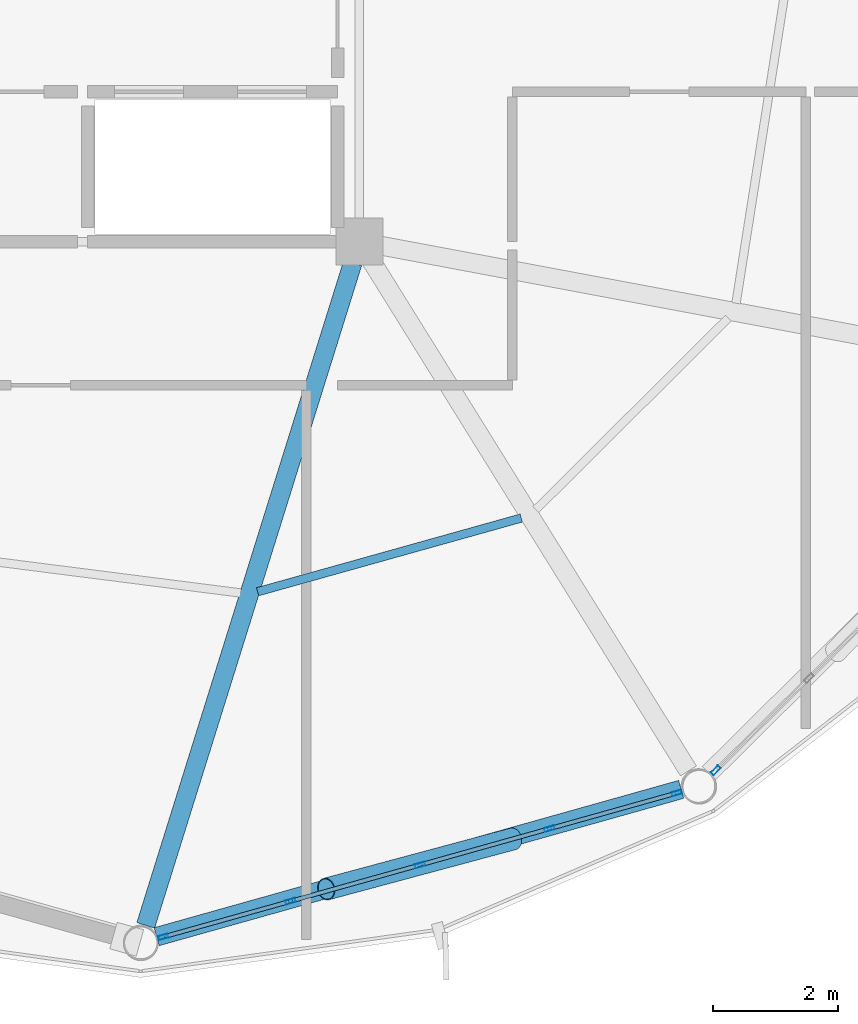
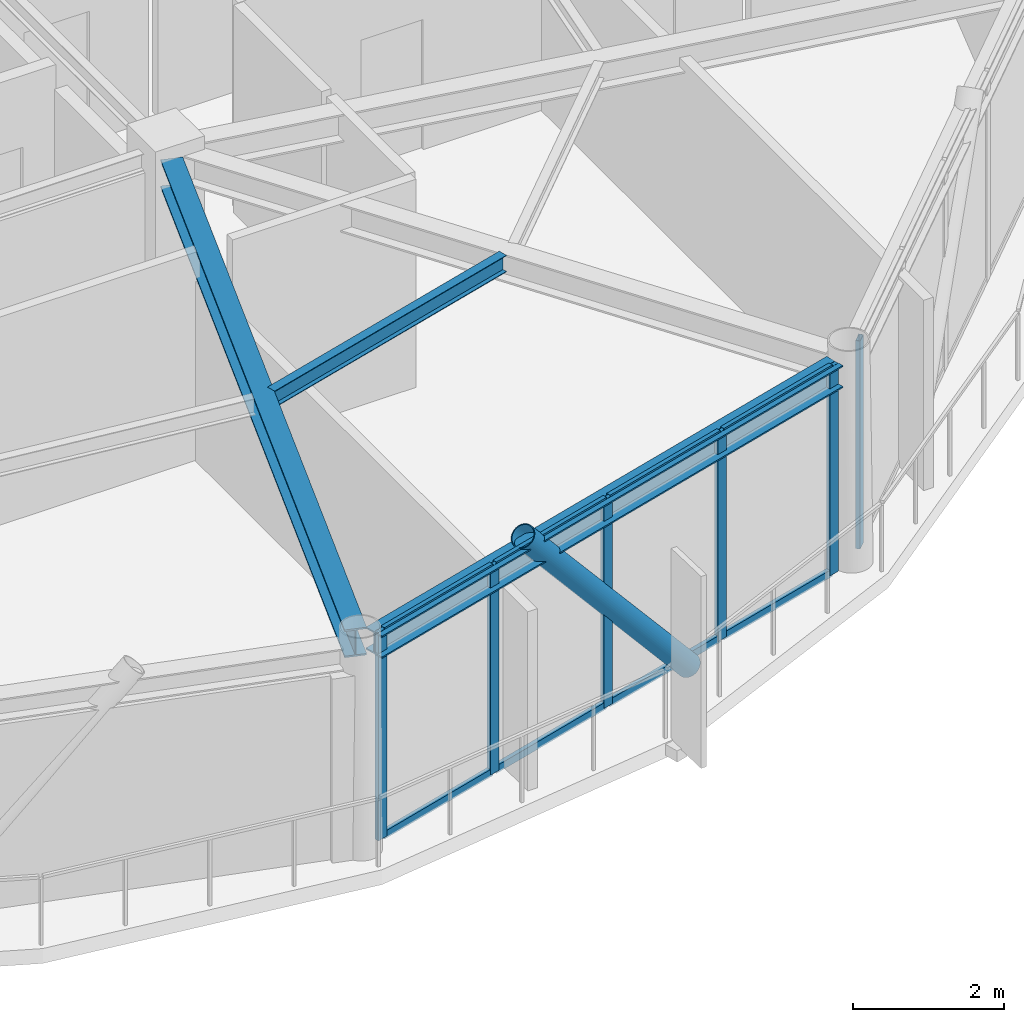
# One storey, part 6 of 24: 15 members, 3 beams, 2 elements without a shape of their own.
"""IFC4 building model written with IfcOpenShell, lengths in metres."""

from ifc_helpers import new_model, si_unit, direction, frame, origin, origin_2d, place, context, subcontext, project, spatial, hollow_rectangle, hollow_circle, i_section, extrude, material, layer, layer_set, material_profile, profile_set, type_object, element, aggregate, save


model = new_model("IFC4")

# Units and contexts
model_context = context("Model", 3, precision=1e-05, world=origin(), true_north=direction((0.0, 1.0)))
body_context = subcontext(model_context, "Body", "Model", "MODEL_VIEW")
ifc_project = project(units=[si_unit("LENGTHUNIT", "METRE"), si_unit("AREAUNIT", "SQUARE_METRE"), si_unit("VOLUMEUNIT", "CUBIC_METRE"), si_unit("PLANEANGLEUNIT", "RADIAN"), si_unit("MASSUNIT", "GRAM", prefix="KILO")], contexts=[model_context])

# Site, building, storey
site_placement = place(None, origin())
site = spatial("IfcSite", under=ifc_project, at=site_placement, CompositionType="ELEMENT")
building_placement = place(site_placement, origin())
building = spatial("IfcBuilding", under=site, at=building_placement, Name="Varnakorn Sky Granary", CompositionType="ELEMENT")
storey_placement = place(building_placement, frame((0.0, 0.0, 274.199951171875)))
storey = spatial("IfcBuildingStorey", under=building, at=storey_placement, Name="L70", CompositionType="ELEMENT", Elevation=274.199951171875)

# Beams
ifc_material_1 = material(Name="Steel S355JR", Category="steel")
ifc_material_profile_1 = material_profile(ifc_material_1, i_section(OverallWidth=0.300048828125, OverallDepth=0.449951171875, WebThickness=0.013916015625, FlangeThickness=0.02587890625, at=origin_2d()), Name="HE 450 B")
ifc_profile_set_1 = profile_set([ifc_material_profile_1], Name="Steel S355JR")
beam_type_1 = type_object("IfcBeamType", Name="BM-RAD-Z5", PredefinedType="BEAM", material=ifc_profile_set_1)
beam_1_placement = place(storey_placement, frame((8.244140625, -6.938720703125, 3.135009765625), z_axis=(-0.298217470222, -0.954497952043, 0.0), x_axis=(0.954497952043, -0.298217470222, 0.0)))
element("IfcBeam", 1, at=beam_1_placement, inside=storey, type_object=beam_type_1, Name="Radial Floor Girder RG10 L70", PredefinedType="BEAM", context=body_context, shape_type="SweptSolid", body=[
    extrude(i_section(OverallWidth=0.300048828125, OverallDepth=0.449951171875, WebThickness=0.013916015625, FlangeThickness=0.02587890625, at=origin_2d()), origin(), (0.0, 0.0, 1.0), 11.11669921875),
])
ifc_material_profile_2 = material_profile(ifc_material_1, i_section(OverallWidth=0.135009765625, OverallDepth=0.27001953125, WebThickness=0.006591796875, FlangeThickness=0.01025390625, at=origin_2d()), Name="IPE 270")
ifc_profile_set_2 = profile_set([ifc_material_profile_2], Name="Steel S355JR")
beam_type_2 = type_object("IfcBeamType", Name="BM-SEC-Z5", PredefinedType="BEAM", material=ifc_profile_set_2)
beam_2_placement = place(storey_placement, frame((6.72119140625, -12.20654296875, 3.22509765625), z_axis=(0.963073822811, 0.269237463619, 0.0), x_axis=(-0.269237463619, 0.963073822811, 0.0)))
element("IfcBeam", 2, at=beam_2_placement, inside=storey, type_object=beam_type_2, Name="Secondary Floor Chord Beam MSB10 L70", PredefinedType="BEAM", context=body_context, shape_type="SweptSolid", body=[
    extrude(i_section(OverallWidth=0.135009765625, OverallDepth=0.27001953125, WebThickness=0.006591796875, FlangeThickness=0.01025390625, at=origin_2d()), origin(), (0.0, 0.0, 1.0), 4.38427734375),
])
ifc_material_profile_3 = material_profile(ifc_material_1, i_section(OverallWidth=0.300048828125, OverallDepth=0.360107421875, WebThickness=0.012451171875, FlangeThickness=0.0224609375, at=origin_2d()), Name="HE 360 B")
ifc_profile_set_3 = profile_set([ifc_material_profile_3], Name="Steel S355JR")
beam_type_3 = type_object("IfcBeamType", Name="BM-SPD-Z5", PredefinedType="SPANDREL", material=ifc_profile_set_3)
beam_3_placement = place(storey_placement, frame((5.1044921875, -17.73046875, 3.179931640625), z_axis=(0.962757982461, 0.270364692976, 0.0), x_axis=(-0.270364692976, 0.962757982461, 0.0)))
element("IfcBeam", 3, at=beam_3_placement, inside=storey, type_object=beam_type_3, Name="Perimeter Spandrel Ring Beam RB10 L70", PredefinedType="SPANDREL", context=body_context, shape_type="SweptSolid", body=[
    extrude(i_section(OverallWidth=0.300048828125, OverallDepth=0.360107421875, WebThickness=0.012451171875, FlangeThickness=0.0224609375, at=origin_2d()), origin(), (0.0, 0.0, 1.0), 8.724853515625),
])

# Curtain wall, members
ifc_material_2 = material(Name="Anodised Bronze Aluminium Alloy 6063-T6", Category="aluminium")
ifc_layer = layer(ifc_material_2, 0.159912109375, Name="Anodised Bronze Aluminium Alloy 6063-T6")
ifc_layer_set = layer_set([ifc_layer], Name="Anodised Bronze Aluminium Alloy 6063-T6")
curtain_wall_type = type_object("IfcCurtainWallType", Name="CW-OFF-1", PredefinedType="USERDEFINED", material=ifc_layer_set)
curtain_wall_1_placement = place(storey_placement, origin())
curtain_wall_1 = element("IfcCurtainWall", 4, at=curtain_wall_1_placement, inside=storey, type_object=curtain_wall_type, Name="Unitised Curtain Wall CW6 CW-L70-B10", ObjectType="CURTAIN WALL", PredefinedType="USERDEFINED")
ifc_material_profile_4 = material_profile(ifc_material_2, hollow_rectangle(XDim=0.06494140625, YDim=0.159912109375, WallThickness=0.00341796875, at=origin_2d()), Name="ALU MULL 65x160")
ifc_profile_set_4 = profile_set([ifc_material_profile_4], Name="Anodised Bronze Aluminium Alloy 6063-T6")
member_type_1 = type_object("IfcMemberType", Name="CW-OFF-1-MULL", PredefinedType="MULLION", material=ifc_profile_set_4)
member_1_placement = place(storey_placement, frame((13.434814453125, -15.428955078125, 0.0), z_axis=(0.0, 0.0, 1.0), x_axis=(0.269869481459, -0.962896911916, 0.0)))
member_1 = element("IfcMember", 5, at=member_1_placement, type_object=member_type_1, Name="CW6 mullion 1", PredefinedType="MULLION", context=body_context, shape_type="SweptSolid", body=[
    extrude(hollow_rectangle(XDim=0.06494140625, YDim=0.159912109375, WallThickness=0.00341796875, at=origin_2d()), origin(), (0.0, 0.0, 1.0), 3.360107421875),
])
member_2_placement = place(storey_placement, frame((11.393798828125, -16.0009765625, 0.0), z_axis=(0.0, 0.0, 1.0), x_axis=(0.269869481459, -0.962896911916, 0.0)))
member_2 = element("IfcMember", 6, at=member_2_placement, type_object=member_type_1, Name="CW6 mullion 2", PredefinedType="MULLION", context=body_context, shape_type="SweptSolid", body=[
    extrude(hollow_rectangle(XDim=0.06494140625, YDim=0.159912109375, WallThickness=0.00341796875, at=origin_2d()), origin(), (0.0, 0.0, 1.0), 3.360107421875),
])
member_3_placement = place(storey_placement, frame((9.321533203125, -16.581787109375, 0.0), z_axis=(0.0, 0.0, 1.0), x_axis=(0.269869481459, -0.962896911916, 0.0)))
member_3 = element("IfcMember", 7, at=member_3_placement, type_object=member_type_1, Name="CW6 mullion 3", PredefinedType="MULLION", context=body_context, shape_type="SweptSolid", body=[
    extrude(hollow_rectangle(XDim=0.06494140625, YDim=0.159912109375, WallThickness=0.00341796875, at=origin_2d()), origin(), (0.0, 0.0, 1.0), 3.360107421875),
])
member_4_placement = place(storey_placement, frame((7.249267578125, -17.16259765625, 0.0), z_axis=(0.0, 0.0, 1.0), x_axis=(0.269869481459, -0.962896911916, 0.0)))
member_4 = element("IfcMember", 8, at=member_4_placement, type_object=member_type_1, Name="CW6 mullion 4", PredefinedType="MULLION", context=body_context, shape_type="SweptSolid", body=[
    extrude(hollow_rectangle(XDim=0.06494140625, YDim=0.159912109375, WallThickness=0.00341796875, at=origin_2d()), origin(), (0.0, 0.0, 1.0), 3.360107421875),
])
member_5_placement = place(storey_placement, frame((5.208251953125, -17.734619140625, 0.0), z_axis=(0.0, 0.0, 1.0), x_axis=(0.269869481459, -0.962896911916, 0.0)))
member_5 = element("IfcMember", 9, at=member_5_placement, type_object=member_type_1, Name="CW6 mullion 5", PredefinedType="MULLION", context=body_context, shape_type="SweptSolid", body=[
    extrude(hollow_rectangle(XDim=0.06494140625, YDim=0.159912109375, WallThickness=0.00341796875, at=origin_2d()), origin(), (0.0, 0.0, 1.0), 3.360107421875),
])

# Curtain wall, member
curtain_wall_2_placement = place(storey_placement, origin())
curtain_wall_2 = element("IfcCurtainWall", 10, at=curtain_wall_2_placement, inside=storey, type_object=curtain_wall_type, Name="Unitised Curtain Wall CW6 CW-L70-B11", ObjectType="CURTAIN WALL", PredefinedType="USERDEFINED")
member_6_placement = place(storey_placement, frame((14.057373046875, -15.06689453125, 0.0), z_axis=(0.0, 0.0, 1.0), x_axis=(0.703399020646, -0.710795200993, 0.0)))
member_6 = element("IfcMember", 11, at=member_6_placement, type_object=member_type_1, Name="CW6 mullion 5", PredefinedType="MULLION", context=body_context, shape_type="SweptSolid", body=[
    extrude(hollow_rectangle(XDim=0.06494140625, YDim=0.159912109375, WallThickness=0.00341796875, at=origin_2d()), origin(), (0.0, 0.0, 1.0), 3.360107421875),
])
aggregate(curtain_wall_2, [member_6])

# Member
ifc_material_profile_5 = material_profile(ifc_material_2, hollow_rectangle(XDim=0.06494140625, YDim=0.1201171875, WallThickness=0.00341796875, at=origin_2d()), Name="ALU TRAN 65x120")
ifc_profile_set_5 = profile_set([ifc_material_profile_5], Name="Anodised Bronze Aluminium Alloy 6063-T6")
member_type_2 = type_object("IfcMemberType", Name="CW-OFF-1-TRAN", PredefinedType="USERDEFINED", material=ifc_profile_set_5)
member_7_placement = place(storey_placement, frame((13.403564453125, -15.437744140625, 0.032470703125), z_axis=(-0.962905998442, -0.269837058547, 0.0), x_axis=(0.269837058547, -0.962905998442, 0.0)))
member_7 = element("IfcMember", 12, at=member_7_placement, type_object=member_type_2, Name="CW6 transom 1.1", ObjectType="TRANSOM", PredefinedType="USERDEFINED", context=body_context, shape_type="SweptSolid", body=[
    extrude(hollow_rectangle(XDim=0.06494140625, YDim=0.1201171875, WallThickness=0.00341796875, at=origin_2d()), origin(), (0.0, 0.0, 1.0), 2.0546875),
])

member_8_placement = place(storey_placement, frame((13.403564453125, -15.437744140625, 3.32763671875), z_axis=(-0.962905998442, -0.269837058547, 0.0), x_axis=(0.269837058547, -0.962905998442, 0.0)))
member_8 = element("IfcMember", 13, at=member_8_placement, type_object=member_type_2, Name="CW6 transom 1.2", ObjectType="TRANSOM", PredefinedType="USERDEFINED", context=body_context, shape_type="SweptSolid", body=[
    extrude(hollow_rectangle(XDim=0.06494140625, YDim=0.1201171875, WallThickness=0.00341796875, at=origin_2d()), origin(), (0.0, 0.0, 1.0), 2.0546875),
])

member_9_placement = place(storey_placement, frame((11.362548828125, -16.009765625, 0.032470703125), z_axis=(-0.96290203805, -0.269851190693, 0.0), x_axis=(0.269851190693, -0.96290203805, 0.0)))
member_9 = element("IfcMember", 14, at=member_9_placement, type_object=member_type_2, Name="CW6 transom 2.1", ObjectType="TRANSOM", PredefinedType="USERDEFINED", context=body_context, shape_type="SweptSolid", body=[
    extrude(hollow_rectangle(XDim=0.06494140625, YDim=0.1201171875, WallThickness=0.00341796875, at=origin_2d()), origin(), (0.0, 0.0, 1.0), 2.087158203125),
])

member_10_placement = place(storey_placement, frame((11.362548828125, -16.009765625, 3.32763671875), z_axis=(-0.96290203805, -0.269851190693, 0.0), x_axis=(0.269851190693, -0.96290203805, 0.0)))
member_10 = element("IfcMember", 15, at=member_10_placement, type_object=member_type_2, Name="CW6 transom 2.2", ObjectType="TRANSOM", PredefinedType="USERDEFINED", context=body_context, shape_type="SweptSolid", body=[
    extrude(hollow_rectangle(XDim=0.06494140625, YDim=0.1201171875, WallThickness=0.00341796875, at=origin_2d()), origin(), (0.0, 0.0, 1.0), 2.087158203125),
])

member_11_placement = place(storey_placement, frame((9.290283203125, -16.590576171875, 0.032470703125), z_axis=(-0.96290203805, -0.269851190693, 0.0), x_axis=(0.269851190693, -0.96290203805, 0.0)))
member_11 = element("IfcMember", 16, at=member_11_placement, type_object=member_type_2, Name="CW6 transom 3.1", ObjectType="TRANSOM", PredefinedType="USERDEFINED", context=body_context, shape_type="SweptSolid", body=[
    extrude(hollow_rectangle(XDim=0.06494140625, YDim=0.1201171875, WallThickness=0.00341796875, at=origin_2d()), origin(), (0.0, 0.0, 1.0), 2.087158203125),
])

member_12_placement = place(storey_placement, frame((9.290283203125, -16.590576171875, 3.32763671875), z_axis=(-0.96290203805, -0.269851190693, 0.0), x_axis=(0.269851190693, -0.96290203805, 0.0)))
member_12 = element("IfcMember", 17, at=member_12_placement, type_object=member_type_2, Name="CW6 transom 3.2", ObjectType="TRANSOM", PredefinedType="USERDEFINED", context=body_context, shape_type="SweptSolid", body=[
    extrude(hollow_rectangle(XDim=0.06494140625, YDim=0.1201171875, WallThickness=0.00341796875, at=origin_2d()), origin(), (0.0, 0.0, 1.0), 2.087158203125),
])

member_13_placement = place(storey_placement, frame((7.218017578125, -17.17138671875, 0.032470703125), z_axis=(-0.962905998442, -0.269837058547, 0.0), x_axis=(0.269837058547, -0.962905998442, 0.0)))
member_13 = element("IfcMember", 18, at=member_13_placement, type_object=member_type_2, Name="CW6 transom 4.1", ObjectType="TRANSOM", PredefinedType="USERDEFINED", context=body_context, shape_type="SweptSolid", body=[
    extrude(hollow_rectangle(XDim=0.06494140625, YDim=0.1201171875, WallThickness=0.00341796875, at=origin_2d()), origin(), (0.0, 0.0, 1.0), 2.0546875),
])

member_14_placement = place(storey_placement, frame((7.218017578125, -17.17138671875, 3.32763671875), z_axis=(-0.962905998442, -0.269837058547, 0.0), x_axis=(0.269837058547, -0.962905998442, 0.0)))
member_14 = element("IfcMember", 19, at=member_14_placement, type_object=member_type_2, Name="CW6 transom 4.2", ObjectType="TRANSOM", PredefinedType="USERDEFINED", context=body_context, shape_type="SweptSolid", body=[
    extrude(hollow_rectangle(XDim=0.06494140625, YDim=0.1201171875, WallThickness=0.00341796875, at=origin_2d()), origin(), (0.0, 0.0, 1.0), 2.0546875),
])

aggregate(curtain_wall_1, [member_1, member_2, member_3, member_4, member_5, member_7, member_8, member_9, member_10, member_11, member_12, member_13, member_14])

ifc_material_3 = material(Name="Steel S460M", Category="steel")
ifc_material_profile_6 = material_profile(ifc_material_3, hollow_circle(Radius=0.177734375, WallThickness=0.01416015625, at=origin_2d()), Name="CHS 355.6x14")
ifc_profile_set_6 = profile_set([ifc_material_profile_6], Name="Steel S460M")
member_type_3 = type_object("IfcMemberType", Name="MB-DIAG-T5", PredefinedType="BRACE", material=ifc_profile_set_6)
member_15_placement = place(storey_placement, frame((10.81201171875, -16.1640625, -0.1298828125), z_axis=(-0.628012860016, -0.168723696503, 0.759692149422), x_axis=(0.259461995513, -0.965753318858, 0.0)))
element("IfcMember", 20, at=member_15_placement, inside=storey, type_object=member_type_3, Name="Perimeter CHS Diagrid Brace DG10 L70", PredefinedType="BRACE", context=body_context, shape_type="SweptSolid", body=[
    extrude(hollow_circle(Radius=0.177734375, WallThickness=0.01416015625, at=origin_2d()), origin(), (0.0, 0.0, 1.0), 4.764892578125),
])

save(model, "model.ifc")
